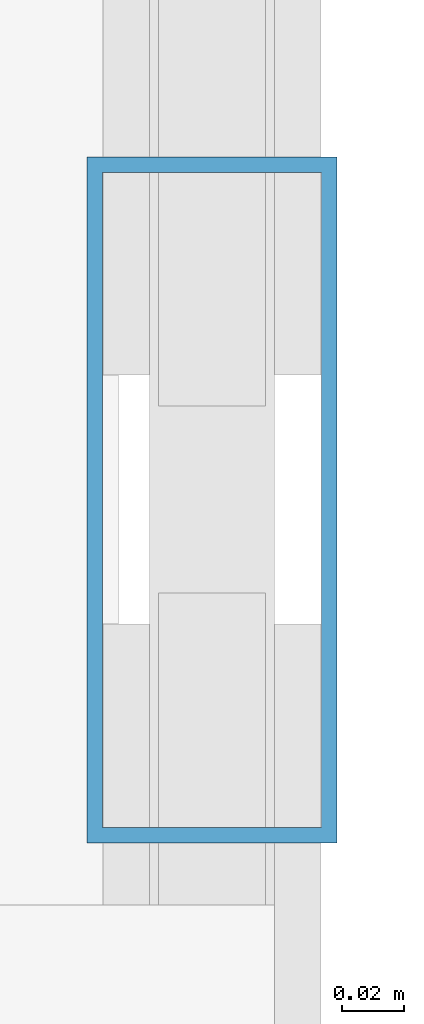
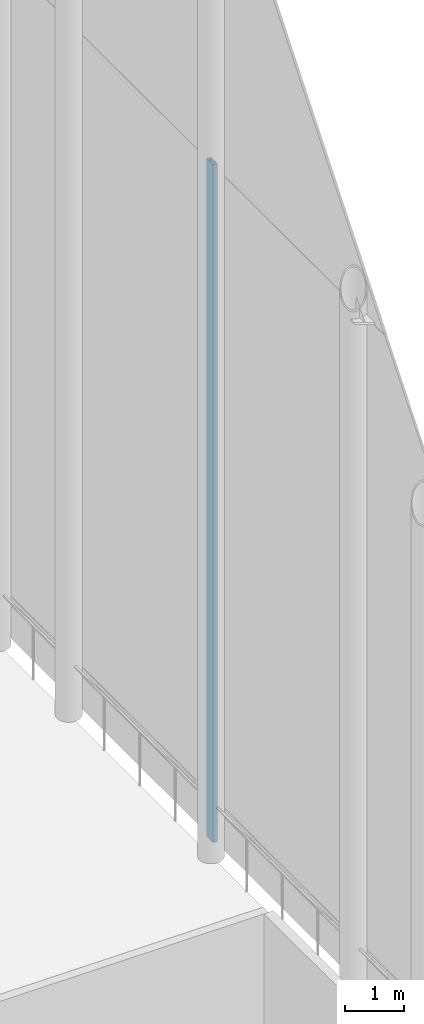
# One storey, part 22 of 42: 1 member, 1 element without a shape of its own.
"""IFC4 building model written with IfcOpenShell, lengths in metres."""

from ifc_helpers import new_model, si_unit, direction, frame, origin, origin_2d, place, context, subcontext, project, spatial, hollow_rectangle, extrude, material, layer, layer_set, material_profile, profile_set, type_object, element, aggregate, save


model = new_model("IFC4")

# Units and contexts
model_context = context("Model", 3, precision=1e-05, world=origin(), true_north=direction((0.0, 1.0)))
body_context = subcontext(model_context, "Body", "Model", "MODEL_VIEW")
ifc_project = project(units=[si_unit("LENGTHUNIT", "METRE"), si_unit("AREAUNIT", "SQUARE_METRE"), si_unit("VOLUMEUNIT", "CUBIC_METRE"), si_unit("PLANEANGLEUNIT", "RADIAN"), si_unit("MASSUNIT", "GRAM", prefix="KILO")], contexts=[model_context])

# Site, building, storey
site_placement = place(None, origin())
site = spatial("IfcSite", under=ifc_project, at=site_placement, CompositionType="ELEMENT")
building_placement = place(site_placement, origin())
building = spatial("IfcBuilding", under=site, at=building_placement, Name="Kallvorn Hotel Tower", CompositionType="ELEMENT")
storey_placement = place(building_placement, frame((0.0, 0.0, 306.0)))
storey = spatial("IfcBuildingStorey", under=building, at=storey_placement, Name="ROOF", CompositionType="ELEMENT", Elevation=306.0)

# Curtain wall, member
ifc_material_1 = material(Name="Thermally broken black-anodised aluminium AA 6063-T6", Category="aluminium")
ifc_layer = layer(ifc_material_1, 0.18994140625)
ifc_layer_set = layer_set([ifc_layer], Name="CW_SYS_7_CROWN_DRUM")
curtain_wall_type = type_object("IfcCurtainWallType", Name="CW_SYS_7_CROWN_DRUM", PredefinedType="USERDEFINED", material=ifc_layer_set)
curtain_wall_placement = place(storey_placement, origin())
curtain_wall = element("IfcCurtainWall", 1, at=curtain_wall_placement, inside=storey, type_object=curtain_wall_type, Name="ROOF Dark-Glass Curtain Wall CW-ROOF-E1", ObjectType="UNITISED CURTAIN WALL", PredefinedType="USERDEFINED")
ifc_material_2 = material(Name="Thermally broken black-anodised aluminium AA 6063-T6", Category="aluminium")
ifc_material_profile = material_profile(ifc_material_2, hollow_rectangle(XDim=0.080078125, YDim=0.219970703125, WallThickness=0.0048828125, at=origin_2d()), Name="MUL 220x80")
ifc_profile_set = profile_set([ifc_material_profile], Name="Thermally broken black-anodised aluminium AA 6063-T6")
member_type = type_object("IfcMemberType", Name="CW_MULLION_220x80", PredefinedType="MULLION", material=ifc_profile_set)
member_placement = place(storey_placement, frame((24.25, 0.39990234375, 0.02001953125), z_axis=(0.0, 0.0, 1.0), x_axis=(1.0, 0.0, 0.0)))
member = element("IfcMember", 2, at=member_placement, type_object=member_type, Name="CW-ROOF-E1 Mullion 02", PredefinedType="MULLION", context=body_context, shape_type="SweptSolid", body=[
    extrude(hollow_rectangle(XDim=0.080078125, YDim=0.219970703125, WallThickness=0.0048828125, at=origin_2d()), origin(), (0.0, 0.0, 1.0), 13.9599609375),
])
aggregate(curtain_wall, [member])

save(model, "model.ifc")
